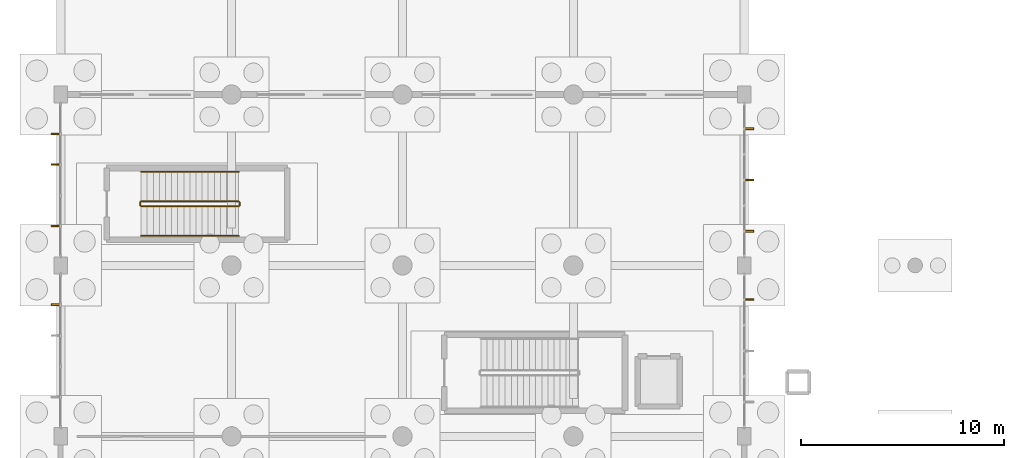
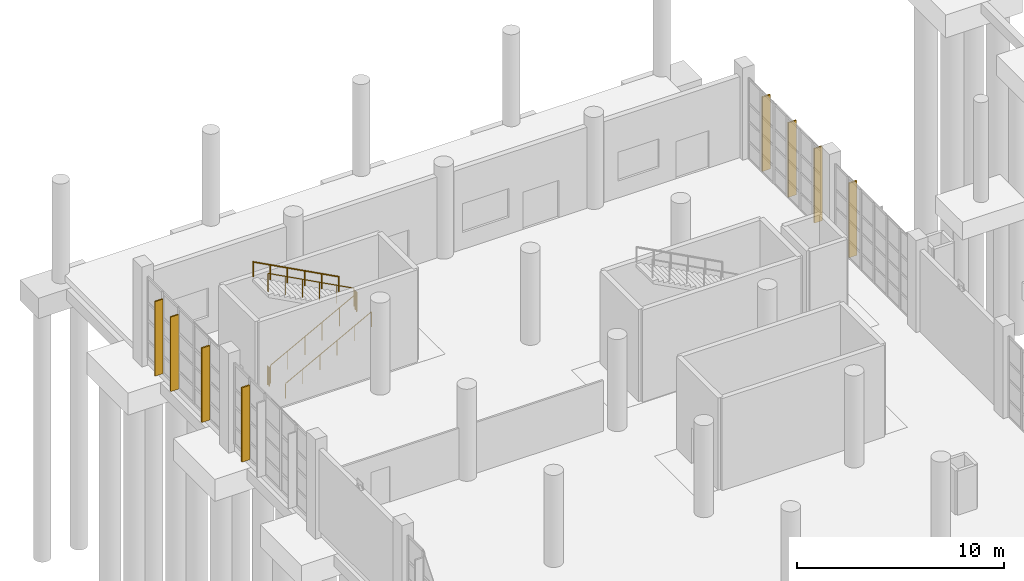
# One storey, part 75 of 83: 8 shading devices, 6 railings.
"""IFC4 building model written with IfcOpenShell, lengths in metres."""

from ifc_helpers import new_model, si_unit, direction, frame, origin, origin_2d, place, context, subcontext, project, spatial, rectangle, circle, extrude, material, type_object, element, save


model = new_model("IFC4")

# Units and contexts
model_context = context("Model", 3, precision=1e-05, world=origin(), true_north=direction((0.0, 1.0)))
body_context = subcontext(model_context, "Body", "Model", "MODEL_VIEW")
ifc_project = project(units=[si_unit("LENGTHUNIT", "METRE"), si_unit("AREAUNIT", "SQUARE_METRE"), si_unit("VOLUMEUNIT", "CUBIC_METRE"), si_unit("PLANEANGLEUNIT", "RADIAN"), si_unit("MASSUNIT", "GRAM", prefix="KILO"), si_unit("THERMODYNAMICTEMPERATUREUNIT", "KELVIN"), si_unit("POWERUNIT", "WATT")], contexts=[model_context])

# Site, building, storey
site_placement = place(None, origin())
site = spatial("IfcSite", under=ifc_project, at=site_placement, CompositionType="ELEMENT")
building_placement = place(site_placement, origin())
building = spatial("IfcBuilding", under=site, at=building_placement, Name="Mavoryth Pier Ferry Terminal", CompositionType="ELEMENT")
storey_placement = place(building_placement, origin())
storey = spatial("IfcBuildingStorey", under=building, at=storey_placement, Name="L00", CompositionType="ELEMENT", Elevation=0.0)

# Shading devices
ifc_material_1 = material(Name="Anodised Aluminium Solar-Shading Fin", Category="aluminium")
shading_device_type = type_object("IfcShadingDeviceType", Name="Fin-BriseSoleil-450x80x4400", PredefinedType="SHUTTER", material=ifc_material_1)
for number, where, z_axis, x_axis, name in (
    (1, (-0.2490234375, 95.6650390625, 0.0), (0.0, 0.0, 1.0), (0.0, -1.0, 0.0), "Solar Shading Fin 61"),
    (2, (33.84912109375, 95.916748046875, 0.0), (0.0, 0.0, 1.0), (0.0, 1.0, 0.0), "Solar Shading Fin 66"),
    (3, (-0.2490234375, 104.06494140625, 0.0), (0.0, 0.0, 1.0), (0.0, -1.0, 0.0), "Solar Shading Fin 70"),
    (4, (-0.2490234375, 102.554931640625, 0.0), (0.0, 0.0, 1.0), (0.0, -1.0, 0.0), "Solar Shading Fin 71"),
    (5, (-0.2490234375, 99.534912109375, 0.0), (0.0, 0.0, 1.0), (0.0, -1.0, 0.0), "Solar Shading Fin 72"),
    (6, (33.84912109375, 99.283203125, 0.0), (0.0, 0.0, 1.0), (0.0, 1.0, 0.0), "Solar Shading Fin 73"),
    (7, (33.84912109375, 101.800048828125, 0.0), (0.0, 0.0, 1.0), (0.0, 1.0, 0.0), "Solar Shading Fin 74"),
    (8, (33.84912109375, 104.316650390625, 0.0), (0.0, 0.0, 1.0), (0.0, 1.0, 0.0), "Solar Shading Fin 75"),
):
    element("IfcShadingDevice", number, at=place(storey_placement, frame(where, z_axis=z_axis, x_axis=x_axis)), inside=storey, type_object=shading_device_type, Name=name, PredefinedType="SHUTTER", context=body_context, shape_type="SweptSolid", body=[
        extrude(rectangle(XDim=0.080078125, YDim=0.449951171875, at=origin_2d()), origin(), (0.0, 0.0, 1.0), 4.39990234375),
    ])

# Railings
ifc_material_2 = material(Name="Painted Galvanised Steel Balustrade", Category="steel")
railing_type_1 = type_object("IfcRailingType", Name="Guard-Stair-Steel1100", PredefinedType="GUARDRAIL", material=ifc_material_2)
railing_1_placement = place(storey_placement, frame((3.949951171875, 100.5, 0.159912109375)))
element("IfcRailing", 9, at=railing_1_placement, inside=storey, type_object=railing_type_1, Name="L00 ST03 stair guard 1", PredefinedType="GUARDRAIL", context=body_context, shape_type="SweptSolid", body=[
    extrude(circle(Radius=0.02392578125, at=origin_2d()), frame((0.0, 0.0, 1.076171875), z_axis=(0.882350456557, 0.0, 0.470592893925), x_axis=(0.0, 1.0, 0.0)), (0.0, 0.0, 1.0), 5.440185546875),
    extrude(circle(Radius=0.02099609375, at=origin_2d()), origin(), (0.0, 0.0, 1.0), 1.052001953125),
    extrude(circle(Radius=0.02099609375, at=origin_2d()), frame((0.9599609375, 0.0, 0.511962890625)), (0.0, 0.0, 1.0), 1.052001953125),
    extrude(circle(Radius=0.02099609375, at=origin_2d()), frame((1.919921875, 0.0, 1.02392578125)), (0.0, 0.0, 1.0), 1.052001953125),
    extrude(circle(Radius=0.02099609375, at=origin_2d()), frame((2.880126953125, 0.0, 1.5361328125)), (0.0, 0.0, 1.0), 1.052001953125),
    extrude(circle(Radius=0.02099609375, at=origin_2d()), frame((3.840087890625, 0.0, 2.048095703125)), (0.0, 0.0, 1.0), 1.052001953125),
    extrude(circle(Radius=0.02099609375, at=origin_2d()), frame((4.800048828125, 0.0, 2.56005859375)), (0.0, 0.0, 1.0), 1.052001953125),
])
railing_2_placement = place(storey_placement, frame((8.800048828125, 100.550048828125, 2.719970703125)))
element("IfcRailing", 10, at=railing_2_placement, inside=storey, type_object=railing_type_1, Name="L00 ST03 stair guard 2", PredefinedType="GUARDRAIL", context=body_context, shape_type="SweptSolid", body=[
    extrude(circle(Radius=0.02392578125, at=origin_2d()), frame((0.0, 0.0, 1.076171875), z_axis=(0.0, 1.0, 0.0), x_axis=(-1.0, 0.0, 0.0)), (0.0, 0.0, 1.0), 0.14990234375),
    extrude(circle(Radius=0.02099609375, at=origin_2d()), origin(), (0.0, 0.0, 1.0), 1.052001953125),
    extrude(circle(Radius=0.02099609375, at=origin_2d()), frame((0.0, 0.14990234375, 0.0)), (0.0, 0.0, 1.0), 1.052001953125),
])
railing_3_placement = place(storey_placement, frame((8.75, 100.75, 2.8798828125)))
element("IfcRailing", 11, at=railing_3_placement, inside=storey, type_object=railing_type_1, Name="L00 ST03 stair guard 3", PredefinedType="GUARDRAIL", context=body_context, shape_type="SweptSolid", body=[
    extrude(circle(Radius=0.02392578125, at=origin_2d()), frame((0.0, 0.0, 1.076171875), z_axis=(-0.882350456557, 0.0, 0.470592893925), x_axis=(0.0, -1.0, 0.0)), (0.0, 0.0, 1.0), 5.440185546875),
    extrude(circle(Radius=0.02099609375, at=origin_2d()), origin(), (0.0, 0.0, 1.0), 1.052001953125),
    extrude(circle(Radius=0.02099609375, at=origin_2d()), frame((-0.9599609375, 0.0, 0.511962890625)), (0.0, 0.0, 1.0), 1.052001953125),
    extrude(circle(Radius=0.02099609375, at=origin_2d()), frame((-1.919921875, 0.0, 1.02392578125)), (0.0, 0.0, 1.0), 1.052001953125),
    extrude(circle(Radius=0.02099609375, at=origin_2d()), frame((-2.880126953125, 0.0, 1.5361328125)), (0.0, 0.0, 1.0), 1.052001953125),
    extrude(circle(Radius=0.02099609375, at=origin_2d()), frame((-3.840087890625, 0.0, 2.048095703125)), (0.0, 0.0, 1.0), 1.052001953125),
    extrude(circle(Radius=0.02099609375, at=origin_2d()), frame((-4.800048828125, 0.0, 2.56005859375)), (0.0, 0.0, 1.0), 1.052001953125),
])
railing_4_placement = place(storey_placement, frame((3.89990234375, 100.550048828125, 0.0)))
element("IfcRailing", 12, at=railing_4_placement, inside=storey, type_object=railing_type_1, Name="L00 ST03 stair guard 4", PredefinedType="GUARDRAIL", context=body_context, shape_type="SweptSolid", body=[
    extrude(circle(Radius=0.02392578125, at=origin_2d()), frame((0.0, 0.0, 1.076171875), z_axis=(0.0, 1.0, 0.0), x_axis=(-1.0, 0.0, 0.0)), (0.0, 0.0, 1.0), 0.14990234375),
    extrude(circle(Radius=0.02099609375, at=origin_2d()), origin(), (0.0, 0.0, 1.0), 1.052001953125),
    extrude(circle(Radius=0.02099609375, at=origin_2d()), frame((0.0, 0.14990234375, 0.0)), (0.0, 0.0, 1.0), 1.052001953125),
])
ifc_material_3 = material(Name="Brushed Stainless Steel Tubular Handrail", Category="steel")
railing_type_2 = type_object("IfcRailingType", Name="Handrail-Stair-SS900", PredefinedType="HANDRAIL", material=ifc_material_3)
railing_5_placement = place(storey_placement, frame((3.949951171875, 99.050048828125, 0.159912109375)))
element("IfcRailing", 13, at=railing_5_placement, inside=storey, type_object=railing_type_2, Name="L00 ST03 stair handrail 1", PredefinedType="HANDRAIL", context=body_context, shape_type="SweptSolid", body=[
    extrude(circle(Radius=0.02392578125, at=origin_2d()), frame((0.0, 0.0, 0.8759765625), z_axis=(0.882350456557, 0.0, 0.470592893925), x_axis=(0.0, 1.0, 0.0)), (0.0, 0.0, 1.0), 5.440185546875),
    extrude(circle(Radius=0.02099609375, at=origin_2d()), origin(), (0.0, 0.0, 1.0), 0.851806640625),
    extrude(circle(Radius=0.02099609375, at=origin_2d()), frame((0.9599609375, 0.0, 0.511962890625)), (0.0, 0.0, 1.0), 0.851806640625),
    extrude(circle(Radius=0.02099609375, at=origin_2d()), frame((1.919921875, 0.0, 1.02392578125)), (0.0, 0.0, 1.0), 0.851806640625),
    extrude(circle(Radius=0.02099609375, at=origin_2d()), frame((2.880126953125, 0.0, 1.5361328125)), (0.0, 0.0, 1.0), 0.851806640625),
    extrude(circle(Radius=0.02099609375, at=origin_2d()), frame((3.840087890625, 0.0, 2.048095703125)), (0.0, 0.0, 1.0), 0.851806640625),
    extrude(circle(Radius=0.02099609375, at=origin_2d()), frame((4.800048828125, 0.0, 2.56005859375)), (0.0, 0.0, 1.0), 0.851806640625),
])
railing_6_placement = place(storey_placement, frame((8.75, 102.199951171875, 2.8798828125)))
element("IfcRailing", 14, at=railing_6_placement, inside=storey, type_object=railing_type_2, Name="L00 ST03 stair handrail 2", PredefinedType="HANDRAIL", context=body_context, shape_type="SweptSolid", body=[
    extrude(circle(Radius=0.02392578125, at=origin_2d()), frame((0.0, 0.0, 0.8759765625), z_axis=(-0.882350456557, 0.0, 0.470592893925), x_axis=(0.0, -1.0, 0.0)), (0.0, 0.0, 1.0), 5.440185546875),
    extrude(circle(Radius=0.02099609375, at=origin_2d()), origin(), (0.0, 0.0, 1.0), 0.851806640625),
    extrude(circle(Radius=0.02099609375, at=origin_2d()), frame((-0.9599609375, 0.0, 0.511962890625)), (0.0, 0.0, 1.0), 0.851806640625),
    extrude(circle(Radius=0.02099609375, at=origin_2d()), frame((-1.919921875, 0.0, 1.02392578125)), (0.0, 0.0, 1.0), 0.851806640625),
    extrude(circle(Radius=0.02099609375, at=origin_2d()), frame((-2.880126953125, 0.0, 1.5361328125)), (0.0, 0.0, 1.0), 0.851806640625),
    extrude(circle(Radius=0.02099609375, at=origin_2d()), frame((-3.840087890625, 0.0, 2.048095703125)), (0.0, 0.0, 1.0), 0.851806640625),
    extrude(circle(Radius=0.02099609375, at=origin_2d()), frame((-4.800048828125, 0.0, 2.56005859375)), (0.0, 0.0, 1.0), 0.851806640625),
])

save(model, "model.ifc")
